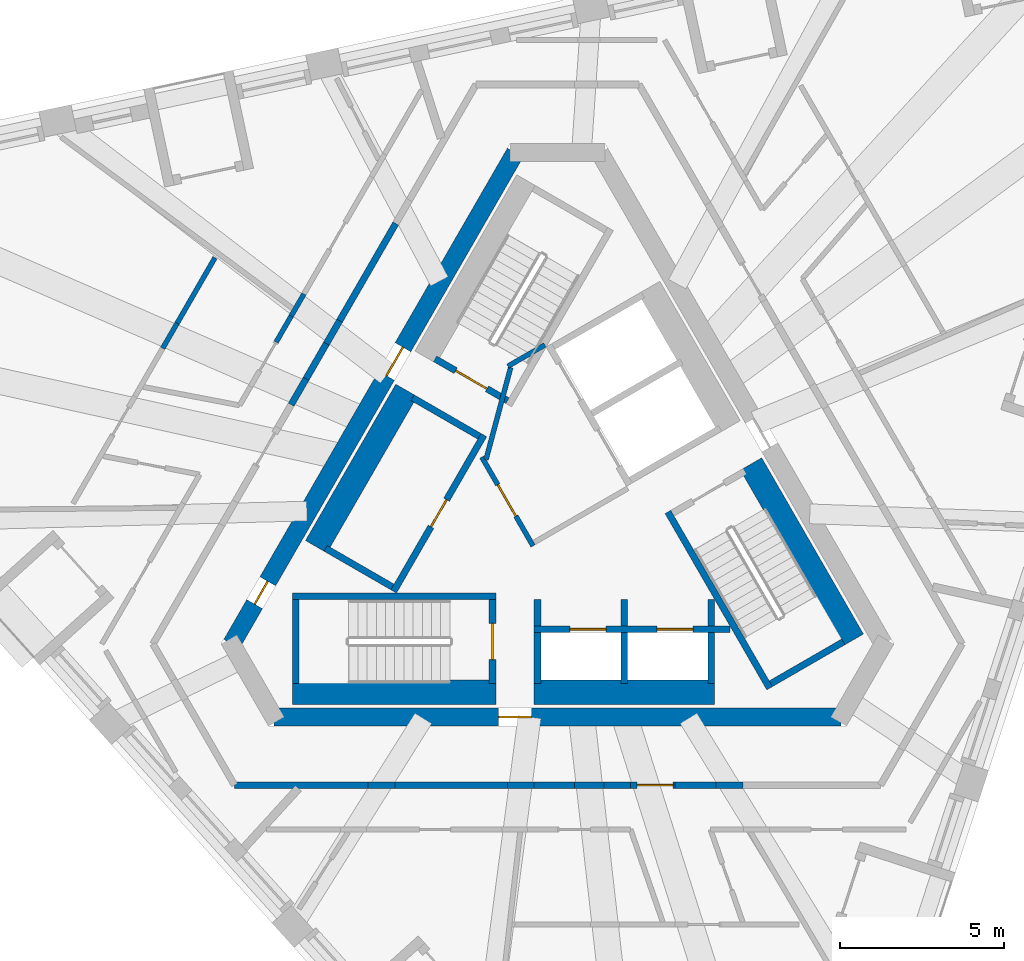
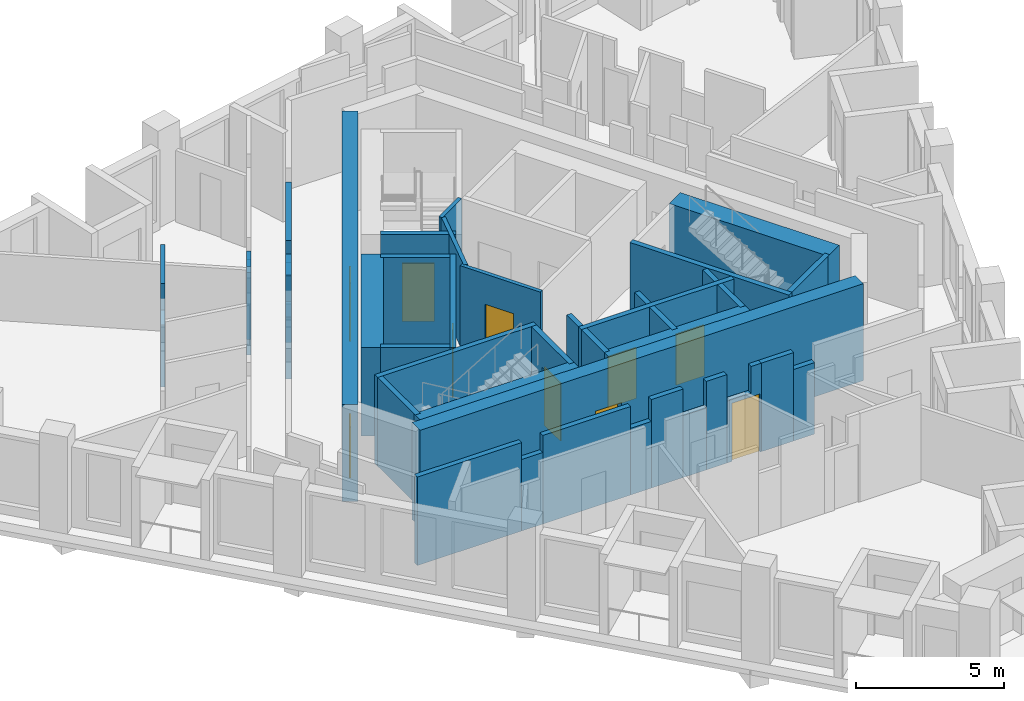
# One storey, part 4 of 13: 43 walls, 10 doors, 10 openings.
"""IFC4 building model written with IfcOpenShell, lengths in metres."""

from ifc_helpers import new_model, si_unit, direction, frame, frame_2d, origin, place, context, subcontext, project, spatial, polyline, rectangle, outline, extrude, material, layer, layer_set, type_object, element, fill, save


model = new_model("IFC4")

# Units and contexts
model_context = context("Model", 3, precision=1e-05, world=origin(), true_north=direction((0.0, 1.0)))
body_context = subcontext(model_context, "Body", "Model", "MODEL_VIEW")
ifc_project = project(units=[si_unit("LENGTHUNIT", "METRE"), si_unit("AREAUNIT", "SQUARE_METRE"), si_unit("VOLUMEUNIT", "CUBIC_METRE"), si_unit("PLANEANGLEUNIT", "RADIAN"), si_unit("MASSUNIT", "GRAM", prefix="KILO")], contexts=[model_context])

# Site, building, storey
site_placement = place(None, origin())
site = spatial("IfcSite", under=ifc_project, at=site_placement, CompositionType="ELEMENT")
building_placement = place(site_placement, origin())
building = spatial("IfcBuilding", under=site, at=building_placement, Name="Tramontana Tower", CompositionType="ELEMENT")
storey_placement = place(building_placement, frame((0.0, 0.0, 328.39990234375)))
storey = spatial("IfcBuildingStorey", under=building, at=storey_placement, Name="L75", CompositionType="ELEMENT", Elevation=328.39990234375)

# Wall, openings, doors
ifc_material_1 = material(Name="Concrete 70 MPa", Category="concrete")
ifc_layer_1 = layer(ifc_material_1, 0.550048828125)
ifc_layer_set_1 = layer_set([ifc_layer_1], Name="Core wall 550 70 MPa")
wall_type_1 = type_object("IfcWallType", Name="Core wall 550 70 MPa", PredefinedType="SHEAR", material=ifc_layer_set_1)
wall_1_placement = place(storey_placement, frame((-1.28466796875, 10.72509765625, 0.0), z_axis=(0.0, 0.0, 1.0), x_axis=(-0.499994590896, -0.86602852671, 0.0)))
wall_1 = element("IfcWall", 1, at=wall_1_placement, inside=storey, type_object=wall_type_1, Name="Core wall C1 L75", PredefinedType="SHEAR", context=body_context, shape_type="SweptSolid", body=[
    extrude(rectangle(XDim=17.291748046875, YDim=0.550048828125, at=frame_2d((8.64599609375, 0.0))), origin(), (0.0, 0.0, 1.0), 4.0),
])
opening_1_placement = place(wall_1_placement, frame((6.850830078125, 0.0, 0.0)))
opening_1 = element("IfcOpeningElement", 2, at=opening_1_placement, cuts=wall_1, Name="Opening RG1", PredefinedType="OPENING", context=body_context, shape_type="SweptSolid", body=[
    extrude(rectangle(XDim=1.0, YDim=2.39990234375, at=frame_2d((0.5, 1.199951171875))), frame((0.0, 0.284912109375, 0.0), z_axis=(0.0, -1.0, 0.0), x_axis=(1.0, 0.0, 0.0)), (0.0, 0.0, 1.0), 0.570068359375),
])
opening_2_placement = place(wall_1_placement, frame((15.0888671875, 0.0, 0.0)))
opening_2 = element("IfcOpeningElement", 3, at=opening_2_placement, cuts=wall_1, Name="Opening PD1", PredefinedType="OPENING", context=body_context, shape_type="SweptSolid", body=[
    extrude(rectangle(XDim=0.800048828125, YDim=2.10009765625, at=frame_2d((0.39990234375, 1.050048828125))), frame((0.0, 0.284912109375, 0.0), z_axis=(0.0, -1.0, 0.0), x_axis=(1.0, 0.0, 0.0)), (0.0, 0.0, 1.0), 0.570068359375),
])
ifc_material_2 = material(Name="Painted steel", Category="steel")
door_type_1 = type_object("IfcDoorType", Name="CUPBOARD DOOR 800", OperationType="SINGLE_SWING_LEFT", PredefinedType="DOOR", material=ifc_material_2)
door_1_placement = place(opening_2_placement, origin())
door_1 = element("IfcDoor", 4, at=door_1_placement, inside=storey, type_object=door_type_1, Name="Door PD1", OperationType="SINGLE_SWING_RIGHT", OverallHeight=2.10009765625, OverallWidth=0.800048828125, PredefinedType="DOOR", context=body_context, shape_type="SweptSolid", body=[
    extrude(rectangle(XDim=0.800048828125, YDim=2.10009765625, at=frame_2d((0.39990234375, 1.050048828125))), frame((0.0, 0.02490234375, 0.0), z_axis=(0.0, -1.0, 0.0), x_axis=(1.0, 0.0, 0.0)), (0.0, 0.0, 1.0), 0.050048828125),
])
fill(opening_2, door_1)
ifc_material_3 = material(Name="Painted steel", Category="steel")
door_type_2 = type_object("IfcDoorType", Name="RING DOOR 1000", OperationType="SINGLE_SWING_LEFT", PredefinedType="DOOR", material=ifc_material_3)
door_2_placement = place(opening_1_placement, origin())
door_2 = element("IfcDoor", 5, at=door_2_placement, inside=storey, type_object=door_type_2, Name="Door RG1", OperationType="SINGLE_SWING_LEFT", OverallHeight=2.39990234375, OverallWidth=1.0, PredefinedType="DOOR", context=body_context, shape_type="SweptSolid", body=[
    extrude(rectangle(XDim=1.0, YDim=2.39990234375, at=frame_2d((0.5, 1.199951171875))), frame((0.0, 0.02490234375, 0.0), z_axis=(0.0, -1.0, 0.0), x_axis=(1.0, 0.0, 0.0)), (0.0, 0.0, 1.0), 0.050048828125),
])
fill(opening_1, door_2)

# Wall, opening, door
wall_2_placement = place(storey_placement, frame((-8.645751953125, -6.47509765625, 0.0), z_axis=(0.0, 0.0, 1.0), x_axis=(1.0, 0.0, 0.0)))
wall_2 = element("IfcWall", 6, at=wall_2_placement, inside=storey, type_object=wall_type_1, Name="Core wall C3 L75", PredefinedType="SHEAR", context=body_context, shape_type="SweptSolid", body=[
    extrude(rectangle(XDim=17.29150390625, YDim=0.550048828125, at=frame_2d((8.645751953125, 0.0))), origin(), (0.0, 0.0, 1.0), 4.0),
])
opening_3_placement = place(wall_2_placement, frame((6.850830078125, 0.0, 0.0)))
opening_3 = element("IfcOpeningElement", 7, at=opening_3_placement, cuts=wall_2, Name="Opening RG2", PredefinedType="OPENING", context=body_context, shape_type="SweptSolid", body=[
    extrude(rectangle(XDim=1.0, YDim=2.39990234375, at=frame_2d((0.5, 1.199951171875))), frame((0.0, 0.284912109375, 0.0), z_axis=(0.0, -1.0, 0.0), x_axis=(1.0, 0.0, 0.0)), (0.0, 0.0, 1.0), 0.570068359375),
])
door_3_placement = place(opening_3_placement, origin())
door_3 = element("IfcDoor", 8, at=door_3_placement, inside=storey, type_object=door_type_2, Name="Door RG2", OperationType="SINGLE_SWING_RIGHT", OverallHeight=2.39990234375, OverallWidth=1.0, PredefinedType="DOOR", context=body_context, shape_type="SweptSolid", body=[
    extrude(rectangle(XDim=1.0, YDim=2.39990234375, at=frame_2d((0.5, 1.199951171875))), frame((0.0, 0.02490234375, 0.0), z_axis=(0.0, -1.0, 0.0), x_axis=(1.0, 0.0, 0.0)), (0.0, 0.0, 1.0), 0.050048828125),
])
fill(opening_3, door_3)

# Walls
ifc_material_4 = material(Name="Blockwork", Category="masonry")
ifc_layer_2 = layer(ifc_material_4, 0.199951171875)
ifc_layer_set_2 = layer_set([ifc_layer_2], Name="ENTRY WALL 200")
wall_type_2 = type_object("IfcWallType", Name="ENTRY WALL 200", PredefinedType="SOLIDWALL", material=ifc_layer_set_2)
wall_3_placement = place(storey_placement, frame((5.6494140625, -8.550048828125, 0.0), z_axis=(0.0, 0.0, 1.0), x_axis=(-1.0, 0.0, 0.0)))
element("IfcWall", 9, at=wall_3_placement, inside=storey, type_object=wall_type_2, Name="Wall v80-ew1-1", PredefinedType="SOLIDWALL", context=body_context, shape_type="SweptSolid", body=[
    extrude(rectangle(XDim=0.821044921875, YDim=0.199951171875, at=frame_2d((0.41064453125, 0.0))), origin(), (0.0, 0.0, 1.0), 2.9501953125),
])
wall_4_placement = place(storey_placement, frame((4.828369140625, -8.550048828125, 0.0), z_axis=(0.0, 0.0, 1.0), x_axis=(-1.0, 0.0, 0.0)))
element("IfcWall", 10, at=wall_4_placement, inside=storey, type_object=wall_type_2, Name="Wall v80-ew1-2", PredefinedType="SOLIDWALL", context=body_context, shape_type="SweptSolid", body=[
    extrude(rectangle(XDim=1.254638671875, YDim=0.199951171875, at=frame_2d((0.62744140625, 0.0))), origin(), (0.0, 0.0, 1.0), 3.650146484375),
])

# Wall, opening, door
wall_5_placement = place(storey_placement, frame((2.22900390625, -8.550048828125, 0.0), z_axis=(0.0, 0.0, 1.0), x_axis=(1.0, 0.0, 0.0)))
wall_5 = element("IfcWall", 11, at=wall_5_placement, inside=storey, type_object=wall_type_2, Name="Wall v80-ew1-3", PredefinedType="SOLIDWALL", context=body_context, shape_type="SweptSolid", body=[
    extrude(outline(polyline([(0.0, 0.0), (1.3447265625, 0.0), (1.3447265625, 3.650146484375), (0.94384765625, 3.650146484375), (0.94384765625, 2.550048828125), (0.0, 2.550048828125), (0.0, 0.0)])), frame((0.0, 0.10009765625, 0.0), z_axis=(0.0, -1.0, 0.0), x_axis=(1.0, 0.0, 0.0)), (0.0, 0.0, 1.0), 0.199951171875),
])
opening_4_placement = place(wall_5_placement, frame((0.19482421875, 0.0, 0.0)))
opening_4 = element("IfcOpeningElement", 12, at=opening_4_placement, cuts=wall_5, Name="Opening B8A-20", PredefinedType="OPENING", context=body_context, shape_type="SweptSolid", body=[
    extrude(rectangle(XDim=1.10009765625, YDim=2.39990234375, at=frame_2d((0.550048828125, 1.199951171875))), frame((0.0, 0.10986328125, 0.0), z_axis=(0.0, -1.0, 0.0), x_axis=(1.0, 0.0, 0.0)), (0.0, 0.0, 1.0), 0.219970703125),
])
ifc_material_5 = material(Name="Painted timber", Category="wood")
door_type_3 = type_object("IfcDoorType", Name="DOOR ENTRY 1100", OperationType="SINGLE_SWING_LEFT", PredefinedType="DOOR", material=ifc_material_5)
door_4_placement = place(opening_4_placement, origin())
door_4 = element("IfcDoor", 13, at=door_4_placement, inside=storey, type_object=door_type_3, Name="Door B8A-20", OperationType="SINGLE_SWING_RIGHT", OverallHeight=2.39990234375, OverallWidth=1.10009765625, PredefinedType="DOOR", context=body_context, shape_type="SweptSolid", body=[
    extrude(rectangle(XDim=1.10009765625, YDim=2.39990234375, at=frame_2d((0.550048828125, 1.199951171875))), frame((0.0, 0.02490234375, 0.0), z_axis=(0.0, -1.0, 0.0), x_axis=(1.0, 0.0, 0.0)), (0.0, 0.0, 1.0), 0.050048828125),
])
fill(opening_4, door_4)

# Walls
wall_6_placement = place(storey_placement, frame((2.22900390625, -8.550048828125, 0.0), z_axis=(0.0, 0.0, 1.0), x_axis=(-1.0, 0.0, 0.0)))
element("IfcWall", 14, at=wall_6_placement, inside=storey, type_object=wall_type_2, Name="Wall v80-ew1-4", PredefinedType="SOLIDWALL", context=body_context, shape_type="SweptSolid", body=[
    extrude(rectangle(XDim=0.806640625, YDim=0.199951171875, at=frame_2d((0.4033203125, 0.0))), origin(), (0.0, 0.0, 1.0), 3.650146484375),
])
wall_7_placement = place(storey_placement, frame((1.42236328125, -8.550048828125, 0.0), z_axis=(0.0, 0.0, 1.0), x_axis=(-1.0, 0.0, 0.0)))
element("IfcWall", 15, at=wall_7_placement, inside=storey, type_object=wall_type_2, Name="Wall v80-ew1-5", PredefinedType="SOLIDWALL", context=body_context, shape_type="SweptSolid", body=[
    extrude(rectangle(XDim=0.90576171875, YDim=0.199951171875, at=frame_2d((0.452880859375, 0.0))), origin(), (0.0, 0.0, 1.0), 2.550048828125),
])
wall_8_placement = place(storey_placement, frame((0.5166015625, -8.550048828125, 0.0), z_axis=(0.0, 0.0, 1.0), x_axis=(-1.0, 0.0, 0.0)))
element("IfcWall", 16, at=wall_8_placement, inside=storey, type_object=wall_type_2, Name="Wall v80-ew1-6", PredefinedType="SOLIDWALL", context=body_context, shape_type="SweptSolid", body=[
    extrude(rectangle(XDim=1.23828125, YDim=0.199951171875, at=frame_2d((0.619140625, 0.0))), origin(), (0.0, 0.0, 1.0), 3.650146484375),
])
wall_9_placement = place(storey_placement, frame((-0.7216796875, -8.550048828125, 0.0), z_axis=(0.0, 0.0, 1.0), x_axis=(-1.0, 0.0, 0.0)))
element("IfcWall", 17, at=wall_9_placement, inside=storey, type_object=wall_type_2, Name="Wall v80-ew1-7", PredefinedType="SOLIDWALL", context=body_context, shape_type="SweptSolid", body=[
    extrude(rectangle(XDim=0.806884765625, YDim=0.199951171875, at=frame_2d((0.4033203125, 0.0))), origin(), (0.0, 0.0, 1.0), 2.75),
])
wall_10_placement = place(storey_placement, frame((-1.528564453125, -8.550048828125, 0.0), z_axis=(0.0, 0.0, 1.0), x_axis=(-1.0, 0.0, 0.0)))
element("IfcWall", 18, at=wall_10_placement, inside=storey, type_object=wall_type_2, Name="Wall v80-ew1-8", PredefinedType="SOLIDWALL", context=body_context, shape_type="SweptSolid", body=[
    extrude(rectangle(XDim=3.423095703125, YDim=0.199951171875, at=frame_2d((1.71142578125, 0.0))), origin(), (0.0, 0.0, 1.0), 3.650146484375),
])
wall_11_placement = place(storey_placement, frame((-4.95166015625, -8.550048828125, 0.0), z_axis=(0.0, 0.0, 1.0), x_axis=(-1.0, 0.0, 0.0)))
element("IfcWall", 19, at=wall_11_placement, inside=storey, type_object=wall_type_2, Name="Wall v80-ew1-9", PredefinedType="SOLIDWALL", context=body_context, shape_type="SweptSolid", body=[
    extrude(rectangle(XDim=0.826416015625, YDim=0.199951171875, at=frame_2d((0.4130859375, 0.0))), origin(), (0.0, 0.0, 1.0), 2.9501953125),
])
wall_12_placement = place(storey_placement, frame((-5.778076171875, -8.550048828125, 0.0), z_axis=(0.0, 0.0, 1.0), x_axis=(-1.0, 0.0, 0.0)))
element("IfcWall", 20, at=wall_12_placement, inside=storey, type_object=wall_type_2, Name="Wall v80-ew1-10", PredefinedType="SOLIDWALL", context=body_context, shape_type="SweptSolid", body=[
    extrude(rectangle(XDim=4.065673828125, YDim=0.199951171875, at=frame_2d((2.03271484375, 0.0))), origin(), (0.0, 0.0, 1.0), 3.650146484375),
])
wall_13_placement = place(storey_placement, frame((-8.11572265625, 3.043212890625, 0.0), z_axis=(0.0, 0.0, 1.0), x_axis=(0.499994660107, 0.866028486751, 0.0)))
element("IfcWall", 21, at=wall_13_placement, inside=storey, type_object=wall_type_2, Name="Wall v80-ew3-5", PredefinedType="SOLIDWALL", context=body_context, shape_type="SweptSolid", body=[
    extrude(rectangle(XDim=0.90576171875, YDim=0.199951171875, at=frame_2d((0.452880859375, 0.0))), origin(), (0.0, 0.0, 1.0), 2.550048828125),
])
wall_14_placement = place(storey_placement, frame((-7.662841796875, 3.82763671875, 0.0), z_axis=(0.0, 0.0, 1.0), x_axis=(0.499955681623, 0.866050989499, 0.0)))
element("IfcWall", 22, at=wall_14_placement, inside=storey, type_object=wall_type_2, Name="Wall v80-ew3-6", PredefinedType="SOLIDWALL", context=body_context, shape_type="SweptSolid", body=[
    extrude(rectangle(XDim=1.23828125, YDim=0.199951171875, at=frame_2d((0.619140625, 0.0))), origin(), (0.0, 0.0, 1.0), 3.650146484375),
])
wall_15_placement = place(storey_placement, frame((-7.043701171875, 4.900146484375, 0.0), z_axis=(0.0, 0.0, 1.0), x_axis=(0.500141487433, 0.865943700565, 0.0)))
element("IfcWall", 23, at=wall_15_placement, inside=storey, type_object=wall_type_2, Name="Wall v80-ew3-7", PredefinedType="SOLIDWALL", context=body_context, shape_type="SweptSolid", body=[
    extrude(rectangle(XDim=0.806884765625, YDim=0.199951171875, at=frame_2d((0.4033203125, 0.0))), origin(), (0.0, 0.0, 1.0), 2.75),
])
wall_16_placement = place(storey_placement, frame((-6.64013671875, 5.598876953125, 0.0), z_axis=(0.0, 0.0, 1.0), x_axis=(0.499989998285, 0.8660311782, 0.0)))
element("IfcWall", 24, at=wall_16_placement, inside=storey, type_object=wall_type_2, Name="Wall v80-ew3-8", PredefinedType="SOLIDWALL", context=body_context, shape_type="SweptSolid", body=[
    extrude(rectangle(XDim=3.4228515625, YDim=0.199951171875, at=frame_2d((1.71142578125, 0.0))), origin(), (0.0, 0.0, 1.0), 3.650146484375),
])

# Wall, opening, door
ifc_material_6 = material(Name="Gypsum board partition")
ifc_layer_3 = layer(ifc_material_6, 0.14990234375)
ifc_layer_set_3 = layer_set([ifc_layer_3], Name="PARTITION 150")
wall_type_3 = type_object("IfcWallType", Name="PARTITION 150", PredefinedType="PARTITIONING", material=ifc_layer_set_3)
wall_17_placement = place(storey_placement, frame((-0.744140625, -1.260986328125, 0.0), z_axis=(0.0, 0.0, 1.0), x_axis=(-0.500004234368, 0.866022959057, 0.0)))
wall_17 = element("IfcWall", 25, at=wall_17_placement, inside=storey, type_object=wall_type_3, Name="Wall ff-front", PredefinedType="PARTITIONING", context=body_context, shape_type="SweptSolid", body=[
    extrude(rectangle(XDim=3.125, YDim=0.14990234375, at=frame_2d((1.5625, 0.0))), origin(), (0.0, 0.0, 1.0), 3.650146484375),
])
opening_5_placement = place(wall_17_placement, frame((1.050048828125, 0.0, 0.0)))
opening_5 = element("IfcOpeningElement", 26, at=opening_5_placement, cuts=wall_17, Name="Opening FD1", PredefinedType="OPENING", context=body_context, shape_type="SweptSolid", body=[
    extrude(rectangle(XDim=1.10009765625, YDim=2.39990234375, at=frame_2d((0.550048828125, 1.199951171875))), frame((0.0, 0.0849609375, 0.0), z_axis=(0.0, -1.0, 0.0), x_axis=(1.0, 0.0, 0.0)), (0.0, 0.0, 1.0), 0.169921875),
])
door_5_placement = place(opening_5_placement, origin())
door_5 = element("IfcDoor", 27, at=door_5_placement, inside=storey, type_object=door_type_3, Name="Door FD1", OperationType="SINGLE_SWING_RIGHT", OverallHeight=2.39990234375, OverallWidth=1.10009765625, PredefinedType="DOOR", context=body_context, shape_type="SweptSolid", body=[
    extrude(rectangle(XDim=1.10009765625, YDim=2.39990234375, at=frame_2d((0.550048828125, 1.199951171875))), frame((0.0, 0.02490234375, 0.0), z_axis=(0.0, -1.0, 0.0), x_axis=(1.0, 0.0, 0.0)), (0.0, 0.0, 1.0), 0.050048828125),
])
fill(opening_5, door_5)

# Walls
wall_18_placement = place(storey_placement, frame((-2.177978515625, 1.372314453125, 0.0), z_axis=(0.0, 0.0, 1.0), x_axis=(0.258808958833, 0.96592852884, 0.0)))
element("IfcWall", 28, at=wall_18_placement, inside=storey, type_object=wall_type_3, Name="Wall ff-diag", PredefinedType="PARTITIONING", context=body_context, shape_type="SweptSolid", body=[
    extrude(rectangle(XDim=2.902587890625, YDim=0.14990234375, at=frame_2d((1.451171875, 0.0))), origin(), (0.0, 0.0, 1.0), 3.650146484375),
])
wall_19_placement = place(storey_placement, frame((-1.509765625, 4.21484375, 0.0), z_axis=(0.0, 0.0, 1.0), x_axis=(0.866085525409, 0.49989585183, 0.0)))
element("IfcWall", 29, at=wall_19_placement, inside=storey, type_object=wall_type_3, Name="Wall ff-end1", PredefinedType="PARTITIONING", context=body_context, shape_type="SweptSolid", body=[
    extrude(rectangle(XDim=1.300048828125, YDim=0.14990234375, at=frame_2d((0.64990234375, 0.0))), origin(), (0.0, 0.0, 1.0), 3.650146484375),
])
wall_20_placement = place(storey_placement, frame((-12.031005859375, 4.761962890625, 0.0), z_axis=(0.0, 0.0, 1.0), x_axis=(0.50019444547, 0.865913111531, 0.0)))
element("IfcWall", 30, at=wall_20_placement, inside=storey, type_object=wall_type_3, Name="Wall v80-pw01-3", PredefinedType="PARTITIONING", context=body_context, shape_type="SweptSolid", body=[
    extrude(rectangle(XDim=0.880615234375, YDim=0.14990234375, at=frame_2d((0.4404296875, 0.0))), origin(), (0.0, 0.0, 1.0), 2.550048828125),
])
wall_21_placement = place(storey_placement, frame((-11.590576171875, 5.5244140625, 0.0), z_axis=(0.0, 0.0, 1.0), x_axis=(0.500012835235, 0.866017993231, 0.0)))
element("IfcWall", 31, at=wall_21_placement, inside=storey, type_object=wall_type_3, Name="Wall v80-pw01-4", PredefinedType="PARTITIONING", context=body_context, shape_type="SweptSolid", body=[
    extrude(rectangle(XDim=2.3046875, YDim=0.14990234375, at=frame_2d((1.15234375, 0.0))), origin(), (0.0, 0.0, 1.0), 3.650146484375),
])
wall_22_placement = place(storey_placement, frame((-8.573974609375, 4.949462890625, 0.0), z_axis=(0.0, 0.0, 1.0), x_axis=(0.500023511883, 0.866011828767, 0.0)))
element("IfcWall", 32, at=wall_22_placement, inside=storey, type_object=wall_type_3, Name="Wall v80-pw08-2", PredefinedType="PARTITIONING", context=body_context, shape_type="SweptSolid", body=[
    extrude(rectangle(XDim=0.91259765625, YDim=0.14990234375, at=frame_2d((0.456298828125, 0.0))), origin(), (0.0, 0.0, 1.0), 3.650146484375),
])
wall_23_placement = place(storey_placement, frame((-8.11767578125, 5.73974609375, 0.0), z_axis=(0.0, 0.0, 1.0), x_axis=(0.500001804394, 0.866024362014, 0.0)))
element("IfcWall", 33, at=wall_23_placement, inside=storey, type_object=wall_type_3, Name="Wall v80-pw08-3", PredefinedType="PARTITIONING", context=body_context, shape_type="SweptSolid", body=[
    extrude(rectangle(XDim=0.78173828125, YDim=0.14990234375, at=frame_2d((0.390869140625, 0.0))), origin(), (0.0, 0.0, 1.0), 2.75),
])
ifc_material_7 = material(Name="Concrete 70 MPa", Category="concrete")
ifc_layer_4 = layer(ifc_material_7, 0.75)
ifc_layer_set_4 = layer_set([ifc_layer_4], Name="Concrete 70 MPa, 750 mm")
wall_type_4 = type_object("IfcWallType", Name="RC SHAFT BACK WALL 750", PredefinedType="SOLIDWALL", material=ifc_layer_set_4)
wall_24_placement = place(storey_placement, frame((-8.080078125, -5.72509765625, 0.0), z_axis=(0.0, 0.0, 1.0), x_axis=(1.0, 0.0, 0.0)))
element("IfcWall", 34, at=wall_24_placement, inside=storey, type_object=wall_type_4, Name="Wall st2-back", PredefinedType="SOLIDWALL", context=body_context, shape_type="SweptSolid", body=[
    extrude(rectangle(XDim=6.2001953125, YDim=0.75, at=frame_2d((3.10009765625, 0.0))), origin(), (0.0, 0.0, 1.0), 3.650146484375),
])
wall_25_placement = place(storey_placement, frame((8.998046875, -4.135009765625, 0.0), z_axis=(0.0, 0.0, 1.0), x_axis=(-0.500009909098, 0.866019682689, 0.0)))
element("IfcWall", 35, at=wall_25_placement, inside=storey, type_object=wall_type_4, Name="Wall st3-back", PredefinedType="SOLIDWALL", context=body_context, shape_type="SweptSolid", body=[
    extrude(rectangle(XDim=6.199951171875, YDim=0.75, at=frame_2d((3.10009765625, 0.0))), origin(), (0.0, 0.0, 1.0), 3.650146484375),
])
wall_26_placement = place(storey_placement, frame((-4.60302734375, 3.477294921875, 0.0), z_axis=(0.0, 0.0, 1.0), x_axis=(-0.500015767406, -0.866016300277, 0.0)))
element("IfcWall", 36, at=wall_26_placement, inside=storey, type_object=wall_type_4, Name="Wall row0-back", PredefinedType="SOLIDWALL", context=body_context, shape_type="SweptSolid", body=[
    extrude(rectangle(XDim=5.499755859375, YDim=0.75, at=frame_2d((2.75, 0.0))), origin(), (0.0, 0.0, 1.0), 3.650146484375),
])
wall_27_placement = place(storey_placement, frame((-0.7099609375, -5.72509765625, 0.0), z_axis=(0.0, 0.0, 1.0), x_axis=(1.0, 0.0, 0.0)))
element("IfcWall", 37, at=wall_27_placement, inside=storey, type_object=wall_type_4, Name="Wall row1-back", PredefinedType="SOLIDWALL", context=body_context, shape_type="SweptSolid", body=[
    extrude(rectangle(XDim=5.5, YDim=0.75, at=frame_2d((2.75, 0.0))), origin(), (0.0, 0.0, 1.0), 3.650146484375),
])

# Wall, opening, door
ifc_material_8 = material(Name="Concrete 70 MPa", Category="concrete")
ifc_layer_5 = layer(ifc_material_8, 0.199951171875)
ifc_layer_set_5 = layer_set([ifc_layer_5], Name="Concrete 70 MPa, 200 mm")
wall_type_5 = type_object("IfcWallType", Name="RC STAIR AND SHAFT WALL 200", PredefinedType="SOLIDWALL", material=ifc_layer_set_5)
wall_28_placement = place(storey_placement, frame((-1.521484375, 3.164794921875, 0.0), z_axis=(0.0, 0.0, 1.0), x_axis=(-0.866030925526, 0.499990435942, 0.0)))
wall_28 = element("IfcWall", 38, at=wall_28_placement, inside=storey, type_object=wall_type_5, Name="Wall st1-near", PredefinedType="SOLIDWALL", context=body_context, shape_type="SweptSolid", body=[
    extrude(rectangle(XDim=2.5498046875, YDim=0.199951171875, at=frame_2d((1.27490234375, 0.0))), origin(), (0.0, 0.0, 1.0), 3.650146484375),
])
opening_6_placement = place(wall_28_placement, frame((0.72509765625, 0.0, 0.0)))
opening_6 = element("IfcOpeningElement", 39, at=opening_6_placement, cuts=wall_28, Name="Opening SD1", PredefinedType="OPENING", context=body_context, shape_type="SweptSolid", body=[
    extrude(rectangle(XDim=1.10009765625, YDim=2.39990234375, at=frame_2d((0.550048828125, 1.199951171875))), frame((0.0, 0.10986328125, 0.0), z_axis=(0.0, -1.0, 0.0), x_axis=(1.0, 0.0, 0.0)), (0.0, 0.0, 1.0), 0.219970703125),
])
ifc_material_9 = material(Name="Painted steel", Category="steel")
door_type_4 = type_object("IfcDoorType", Name="STAIR DOOR 1100", OperationType="SINGLE_SWING_LEFT", PredefinedType="DOOR", material=ifc_material_9)
door_6_placement = place(opening_6_placement, origin())
door_6 = element("IfcDoor", 40, at=door_6_placement, inside=storey, type_object=door_type_4, Name="Door SD1", OperationType="SINGLE_SWING_RIGHT", OverallHeight=2.39990234375, OverallWidth=1.10009765625, PredefinedType="DOOR", context=body_context, shape_type="SweptSolid", body=[
    extrude(rectangle(XDim=1.10009765625, YDim=2.39990234375, at=frame_2d((0.550048828125, 1.199951171875))), frame((0.0, 0.02490234375, 0.0), z_axis=(0.0, -1.0, 0.0), x_axis=(1.0, 0.0, 0.0)), (0.0, 0.0, 1.0), 0.050048828125),
])
fill(opening_6, door_6)

# Walls
wall_29_placement = place(storey_placement, frame((-8.080078125, -2.800048828125, 0.0), z_axis=(0.0, 0.0, 1.0), x_axis=(1.0, 0.0, 0.0)))
element("IfcWall", 41, at=wall_29_placement, inside=storey, type_object=wall_type_5, Name="Wall st2-front", PredefinedType="SOLIDWALL", context=body_context, shape_type="SweptSolid", body=[
    extrude(rectangle(XDim=6.2001953125, YDim=0.199951171875, at=frame_2d((3.10009765625, 0.0))), origin(), (0.0, 0.0, 1.0), 3.650146484375),
])
wall_30_placement = place(storey_placement, frame((-7.97998046875, -2.89990234375, 0.0), z_axis=(0.0, 0.0, 1.0), x_axis=(0.0, -1.0, 0.0)))
element("IfcWall", 42, at=wall_30_placement, inside=storey, type_object=wall_type_5, Name="Wall st2-far", PredefinedType="SOLIDWALL", context=body_context, shape_type="SweptSolid", body=[
    extrude(rectangle(XDim=2.550048828125, YDim=0.199951171875, at=frame_2d((1.27490234375, 0.0))), origin(), (0.0, 0.0, 1.0), 3.650146484375),
])

# Wall, opening, door
wall_31_placement = place(storey_placement, frame((-1.97998046875, -2.89990234375, 0.0), z_axis=(0.0, 0.0, 1.0), x_axis=(0.0, -1.0, 0.0)))
wall_31 = element("IfcWall", 43, at=wall_31_placement, inside=storey, type_object=wall_type_5, Name="Wall st2-near", PredefinedType="SOLIDWALL", context=body_context, shape_type="SweptSolid", body=[
    extrude(rectangle(XDim=2.550048828125, YDim=0.199951171875, at=frame_2d((1.27490234375, 0.0))), origin(), (0.0, 0.0, 1.0), 3.650146484375),
])
opening_7_placement = place(wall_31_placement, frame((0.72509765625, 0.0, 0.0)))
opening_7 = element("IfcOpeningElement", 44, at=opening_7_placement, cuts=wall_31, Name="Opening SD2", PredefinedType="OPENING", context=body_context, shape_type="SweptSolid", body=[
    extrude(rectangle(XDim=1.10009765625, YDim=2.39990234375, at=frame_2d((0.550048828125, 1.199951171875))), frame((0.0, 0.10986328125, 0.0), z_axis=(0.0, -1.0, 0.0), x_axis=(1.0, 0.0, 0.0)), (0.0, 0.0, 1.0), 0.219970703125),
])
door_7_placement = place(opening_7_placement, origin())
door_7 = element("IfcDoor", 45, at=door_7_placement, inside=storey, type_object=door_type_4, Name="Door SD2", OperationType="SINGLE_SWING_LEFT", OverallHeight=2.39990234375, OverallWidth=1.10009765625, PredefinedType="DOOR", context=body_context, shape_type="SweptSolid", body=[
    extrude(rectangle(XDim=1.10009765625, YDim=2.39990234375, at=frame_2d((0.550048828125, 1.199951171875))), frame((0.0, 0.02490234375, 0.0), z_axis=(0.0, -1.0, 0.0), x_axis=(1.0, 0.0, 0.0)), (0.0, 0.0, 1.0), 0.050048828125),
])
fill(opening_7, door_7)

# Walls
wall_32_placement = place(storey_placement, frame((6.46484375, -5.597412109375, 0.0), z_axis=(0.0, 0.0, 1.0), x_axis=(-0.49998037582, 0.866036733513, 0.0)))
element("IfcWall", 46, at=wall_32_placement, inside=storey, type_object=wall_type_5, Name="Wall st3-front", PredefinedType="SOLIDWALL", context=body_context, shape_type="SweptSolid", body=[
    extrude(rectangle(XDim=6.199951171875, YDim=0.199951171875, at=frame_2d((3.10009765625, 0.0))), origin(), (0.0, 0.0, 1.0), 3.650146484375),
])
wall_33_placement = place(storey_placement, frame((6.50146484375, -5.4609375, 0.0), z_axis=(0.0, 0.0, 1.0), x_axis=(0.865989465428, 0.500062241894, 0.0)))
element("IfcWall", 47, at=wall_33_placement, inside=storey, type_object=wall_type_5, Name="Wall st3-far", PredefinedType="SOLIDWALL", context=body_context, shape_type="SweptSolid", body=[
    extrude(rectangle(XDim=2.550048828125, YDim=0.199951171875, at=frame_2d((1.27490234375, 0.0))), origin(), (0.0, 0.0, 1.0), 3.650146484375),
])

# Wall, opening, door
wall_34_placement = place(storey_placement, frame((-4.9931640625, -2.648193359375, 0.0), z_axis=(0.0, 0.0, 1.0), x_axis=(0.499996545922, 0.866027397988, 0.0)))
wall_34 = element("IfcWall", 48, at=wall_34_placement, inside=storey, type_object=wall_type_5, Name="Wall row0-front", PredefinedType="SOLIDWALL", context=body_context, shape_type="SweptSolid", body=[
    extrude(rectangle(XDim=5.5, YDim=0.199951171875, at=frame_2d((2.75, 0.0))), origin(), (0.0, 0.0, 1.0), 3.650146484375),
])
opening_8_placement = place(wall_34_placement, frame((2.27490234375, 0.0, 0.0)))
opening_8 = element("IfcOpeningElement", 49, at=opening_8_placement, cuts=wall_34, Name="Opening RD-0", PredefinedType="OPENING", context=body_context, shape_type="SweptSolid", body=[
    extrude(rectangle(XDim=0.949951171875, YDim=2.39990234375, at=frame_2d((0.47509765625, 1.199951171875))), frame((0.0, 0.10986328125, 0.0), z_axis=(0.0, -1.0, 0.0), x_axis=(1.0, 0.0, 0.0)), (0.0, 0.0, 1.0), 0.219970703125),
])
ifc_material_10 = material(Name="Painted timber", Category="wood")
door_type_5 = type_object("IfcDoorType", Name="DOOR ROOM 950", OperationType="SINGLE_SWING_LEFT", PredefinedType="DOOR", material=ifc_material_10)
door_8_placement = place(opening_8_placement, origin())
door_8 = element("IfcDoor", 50, at=door_8_placement, inside=storey, type_object=door_type_5, Name="Door RD-0", OperationType="SINGLE_SWING_LEFT", OverallHeight=2.39990234375, OverallWidth=0.949951171875, PredefinedType="DOOR", context=body_context, shape_type="SweptSolid", body=[
    extrude(rectangle(XDim=0.949951171875, YDim=2.39990234375, at=frame_2d((0.47509765625, 1.199951171875))), frame((0.0, 0.02490234375, 0.0), z_axis=(0.0, -1.0, 0.0), x_axis=(1.0, 0.0, 0.0)), (0.0, 0.0, 1.0), 0.050048828125),
])
fill(opening_8, door_8)

# Walls
wall_35_placement = place(storey_placement, frame((-2.379638671875, 2.078369140625, 0.0), z_axis=(0.0, 0.0, 1.0), x_axis=(-0.866061024631, 0.499938297808, 0.0)))
element("IfcWall", 51, at=wall_35_placement, inside=storey, type_object=wall_type_5, Name="Wall row0-side0", PredefinedType="SOLIDWALL", context=body_context, shape_type="SweptSolid", body=[
    extrude(rectangle(XDim=2.349853515625, YDim=0.199951171875, at=frame_2d((1.1748046875, 0.0))), origin(), (0.0, 0.0, 1.0), 3.650146484375),
])
wall_36_placement = place(storey_placement, frame((-5.02978515625, -2.51171875, 0.0), z_axis=(0.0, 0.0, 1.0), x_axis=(-0.866016039709, 0.500016218704, 0.0)))
element("IfcWall", 52, at=wall_36_placement, inside=storey, type_object=wall_type_5, Name="Wall row0-side2", PredefinedType="SOLIDWALL", context=body_context, shape_type="SweptSolid", body=[
    extrude(rectangle(XDim=2.35009765625, YDim=0.199951171875, at=frame_2d((1.175048828125, 0.0))), origin(), (0.0, 0.0, 1.0), 3.650146484375),
])

# Wall, openings, doors
wall_37_placement = place(storey_placement, frame((-0.7099609375, -3.800048828125, 0.0), z_axis=(0.0, 0.0, 1.0), x_axis=(1.0, 0.0, 0.0)))
wall_37 = element("IfcWall", 53, at=wall_37_placement, inside=storey, type_object=wall_type_5, Name="Wall row1-front", PredefinedType="SOLIDWALL", context=body_context, shape_type="SweptSolid", body=[
    extrude(rectangle(XDim=5.96142578125, YDim=0.199951171875, at=frame_2d((2.980712890625, 0.0))), origin(), (0.0, 0.0, 1.0), 3.650146484375),
])
opening_9_placement = place(wall_37_placement, frame((1.090087890625, 0.0, 0.0)))
opening_9 = element("IfcOpeningElement", 54, at=opening_9_placement, cuts=wall_37, Name="Opening LD-S1", PredefinedType="OPENING", context=body_context, shape_type="SweptSolid", body=[
    extrude(rectangle(XDim=1.10009765625, YDim=2.10009765625, at=frame_2d((0.550048828125, 1.050048828125))), frame((0.0, 0.10986328125, 0.0), z_axis=(0.0, -1.0, 0.0), x_axis=(1.0, 0.0, 0.0)), (0.0, 0.0, 1.0), 0.219970703125),
])
opening_10_placement = place(wall_37_placement, frame((3.739990234375, 0.0, 0.0)))
opening_10 = element("IfcOpeningElement", 55, at=opening_10_placement, cuts=wall_37, Name="Opening LD-S2", PredefinedType="OPENING", context=body_context, shape_type="SweptSolid", body=[
    extrude(rectangle(XDim=1.10009765625, YDim=2.10009765625, at=frame_2d((0.550048828125, 1.050048828125))), frame((0.0, 0.10986328125, 0.0), z_axis=(0.0, -1.0, 0.0), x_axis=(1.0, 0.0, 0.0)), (0.0, 0.0, 1.0), 0.219970703125),
])
ifc_material_11 = material(Name="Brushed steel", Category="steel")
door_type_6 = type_object("IfcDoorType", Name="LANDING DOOR 1100", OperationType="SINGLE_SWING_LEFT", PredefinedType="DOOR", material=ifc_material_11)
door_9_placement = place(opening_9_placement, origin())
door_9 = element("IfcDoor", 56, at=door_9_placement, inside=storey, type_object=door_type_6, Name="Door LD-S1", OperationType="SLIDING_TO_RIGHT", OverallHeight=2.10009765625, OverallWidth=1.10009765625, PredefinedType="DOOR", context=body_context, shape_type="SweptSolid", body=[
    extrude(rectangle(XDim=1.10009765625, YDim=2.10009765625, at=frame_2d((0.550048828125, 1.050048828125))), frame((0.0, 0.02490234375, 0.0), z_axis=(0.0, -1.0, 0.0), x_axis=(1.0, 0.0, 0.0)), (0.0, 0.0, 1.0), 0.050048828125),
])
fill(opening_9, door_9)
door_10_placement = place(opening_10_placement, origin())
door_10 = element("IfcDoor", 57, at=door_10_placement, inside=storey, type_object=door_type_6, Name="Door LD-S2", OperationType="SLIDING_TO_LEFT", OverallHeight=2.10009765625, OverallWidth=1.10009765625, PredefinedType="DOOR", context=body_context, shape_type="SweptSolid", body=[
    extrude(rectangle(XDim=1.10009765625, YDim=2.10009765625, at=frame_2d((0.550048828125, 1.050048828125))), frame((0.0, 0.02490234375, 0.0), z_axis=(0.0, -1.0, 0.0), x_axis=(1.0, 0.0, 0.0)), (0.0, 0.0, 1.0), 0.050048828125),
])
fill(opening_10, door_10)

# Walls
wall_38_placement = place(storey_placement, frame((-0.610107421875, -3.89990234375, 0.0), z_axis=(0.0, 0.0, 1.0), x_axis=(0.0, -1.0, 0.0)))
element("IfcWall", 58, at=wall_38_placement, inside=storey, type_object=wall_type_5, Name="Wall row1-side0", PredefinedType="SOLIDWALL", context=body_context, shape_type="SweptSolid", body=[
    extrude(rectangle(XDim=1.550048828125, YDim=0.199951171875, at=frame_2d((0.77490234375, 0.0))), origin(), (0.0, 0.0, 1.0), 3.650146484375),
])
wall_39_placement = place(storey_placement, frame((-0.610107421875, -2.89990234375, 0.0), z_axis=(0.0, 0.0, 1.0), x_axis=(0.0, -1.0, 0.0)))
element("IfcWall", 59, at=wall_39_placement, inside=storey, type_object=wall_type_5, Name="Wall row1-side0-ret", PredefinedType="SOLIDWALL", context=body_context, shape_type="SweptSolid", body=[
    extrude(rectangle(XDim=0.800048828125, YDim=0.199951171875, at=frame_2d((0.39990234375, 0.0))), origin(), (0.0, 0.0, 1.0), 3.650146484375),
])
wall_40_placement = place(storey_placement, frame((2.0400390625, -3.89990234375, 0.0), z_axis=(0.0, 0.0, 1.0), x_axis=(0.0, -1.0, 0.0)))
element("IfcWall", 60, at=wall_40_placement, inside=storey, type_object=wall_type_5, Name="Wall row1-side1", PredefinedType="SOLIDWALL", context=body_context, shape_type="SweptSolid", body=[
    extrude(rectangle(XDim=1.550048828125, YDim=0.199951171875, at=frame_2d((0.77490234375, 0.0))), origin(), (0.0, 0.0, 1.0), 3.650146484375),
])
wall_41_placement = place(storey_placement, frame((2.0400390625, -2.89990234375, 0.0), z_axis=(0.0, 0.0, 1.0), x_axis=(0.0, -1.0, 0.0)))
element("IfcWall", 61, at=wall_41_placement, inside=storey, type_object=wall_type_5, Name="Wall row1-side1-ret", PredefinedType="SOLIDWALL", context=body_context, shape_type="SweptSolid", body=[
    extrude(rectangle(XDim=0.800048828125, YDim=0.199951171875, at=frame_2d((0.39990234375, 0.0))), origin(), (0.0, 0.0, 1.0), 3.650146484375),
])
wall_42_placement = place(storey_placement, frame((4.68994140625, -3.89990234375, 0.0), z_axis=(0.0, 0.0, 1.0), x_axis=(0.0, -1.0, 0.0)))
element("IfcWall", 62, at=wall_42_placement, inside=storey, type_object=wall_type_5, Name="Wall row1-side2", PredefinedType="SOLIDWALL", context=body_context, shape_type="SweptSolid", body=[
    extrude(rectangle(XDim=1.550048828125, YDim=0.199951171875, at=frame_2d((0.77490234375, 0.0))), origin(), (0.0, 0.0, 1.0), 3.650146484375),
])
wall_43_placement = place(storey_placement, frame((4.68994140625, -2.89990234375, 0.0), z_axis=(0.0, 0.0, 1.0), x_axis=(0.0, -1.0, 0.0)))
element("IfcWall", 63, at=wall_43_placement, inside=storey, type_object=wall_type_5, Name="Wall row1-side2-ret", PredefinedType="SOLIDWALL", context=body_context, shape_type="SweptSolid", body=[
    extrude(rectangle(XDim=0.800048828125, YDim=0.199951171875, at=frame_2d((0.39990234375, 0.0))), origin(), (0.0, 0.0, 1.0), 3.650146484375),
])

save(model, "model.ifc")
